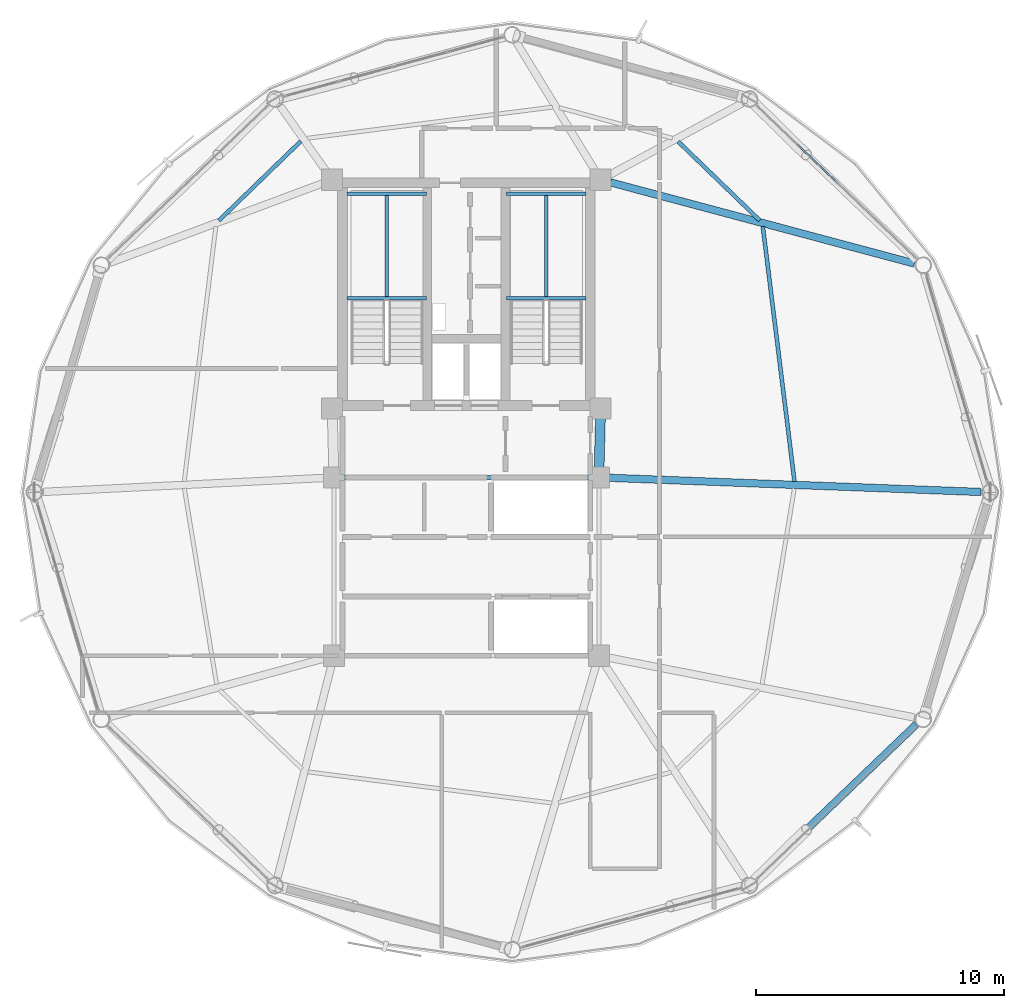
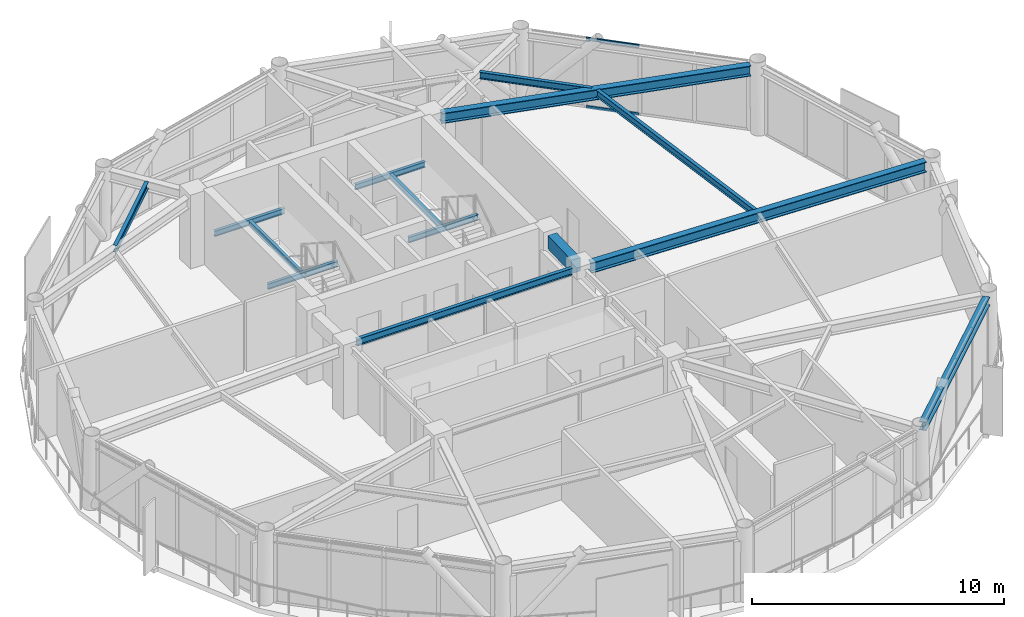
# One storey, part 14 of 28: 14 beams, 2 members, 1 element without a shape of its own.
"""IFC4 building model written with IfcOpenShell, lengths in metres."""

from ifc_helpers import new_model, si_unit, direction, frame, origin, origin_2d, place, context, subcontext, project, spatial, rectangle, hollow_rectangle, i_section, extrude, material, layer, layer_set, material_profile, profile_set, type_object, element, aggregate, save


model = new_model("IFC4")

# Units and contexts
model_context = context("Model", 3, precision=1e-05, world=origin(), true_north=direction((0.0, 1.0)))
body_context = subcontext(model_context, "Body", "Model", "MODEL_VIEW")
ifc_project = project(units=[si_unit("LENGTHUNIT", "METRE"), si_unit("AREAUNIT", "SQUARE_METRE"), si_unit("VOLUMEUNIT", "CUBIC_METRE"), si_unit("PLANEANGLEUNIT", "RADIAN"), si_unit("MASSUNIT", "GRAM", prefix="KILO")], contexts=[model_context])

# Site, building, storey
site_placement = place(None, origin())
site = spatial("IfcSite", under=ifc_project, at=site_placement, CompositionType="ELEMENT")
building_placement = place(site_placement, origin())
building = spatial("IfcBuilding", under=site, at=building_placement, Name="Varnakorn Sky Granary", CompositionType="ELEMENT")
storey_placement = place(building_placement, frame((0.0, 0.0, 204.0)))
storey = spatial("IfcBuildingStorey", under=building, at=storey_placement, Name="L51", CompositionType="ELEMENT", Elevation=204.0)

# Beams
ifc_material_1 = material(Name="Concrete C50/60", Category="concrete")
ifc_material_profile_1 = material_profile(ifc_material_1, rectangle(XDim=0.39990234375, YDim=0.64990234375, at=origin_2d()), Name="RC 400x650")
ifc_profile_set_1 = profile_set([ifc_material_profile_1], Name="Concrete C50/60")
beam_type_1 = type_object("IfcBeamType", Name="BM-LIN-650", PredefinedType="LINTEL", material=ifc_profile_set_1)
beam_1_placement = place(storey_placement, frame((8.409912109375, 2.97509765625, 3.034912109375), z_axis=(-0.025270737467, -0.99968064392, 0.0), x_axis=(0.99968064392, -0.025270737467, 0.0)))
element("IfcBeam", 1, at=beam_1_placement, inside=storey, type_object=beam_type_1, Name="Core Spine Framing Beam 2 L51", PredefinedType="LINTEL", context=body_context, shape_type="SweptSolid", body=[
    extrude(rectangle(XDim=0.39990234375, YDim=0.64990234375, at=origin_2d()), origin(), (0.0, 0.0, 1.0), 1.970947265625),
])
ifc_material_2 = material(Name="Steel S355JR", Category="steel")
ifc_material_profile_2 = material_profile(ifc_material_2, i_section(OverallWidth=0.135009765625, OverallDepth=0.27001953125, WebThickness=0.006591796875, FlangeThickness=0.01025390625, at=origin_2d()), Name="IPE 270")
ifc_profile_set_2 = profile_set([ifc_material_profile_2], Name="Steel S355JR")
beam_type_2 = type_object("IfcBeamType", Name="BM-LND-270", PredefinedType="BEAM", material=ifc_profile_set_2)
for number, where, z_axis, x_axis, name in (
    (2, (-1.820068359375, 7.840087890625, 1.465087890625), (1.0, 0.0, 0.0), (0.0, 1.0, 0.0), "Stair ST-1 Landing Trimmer Beam A L51-1"),
    (3, (-1.820068359375, 12.06005859375, 1.465087890625), (1.0, 0.0, 0.0), (0.0, 1.0, 0.0), "Stair ST-1 Landing Trimmer Beam B L51-1"),
):
    element("IfcBeam", number, at=place(storey_placement, frame(where, z_axis=z_axis, x_axis=x_axis)), inside=storey, type_object=beam_type_2, Name=name, PredefinedType="BEAM", context=body_context, shape_type="SweptSolid", body=[
        extrude(i_section(OverallWidth=0.135009765625, OverallDepth=0.27001953125, WebThickness=0.006591796875, FlangeThickness=0.01025390625, at=origin_2d()), origin(), (0.0, 0.0, 1.0), 3.199951171875),
    ])
beam_2_placement = place(storey_placement, frame((-0.219970703125, 7.840087890625, 1.465087890625), z_axis=(0.0, 1.0, 0.0), x_axis=(-1.0, 0.0, 0.0)))
element("IfcBeam", 4, at=beam_2_placement, inside=storey, type_object=beam_type_2, Name="Stair ST-1 Landing Cross Beam C L51-1", PredefinedType="BEAM", context=body_context, shape_type="SweptSolid", body=[
    extrude(i_section(OverallWidth=0.135009765625, OverallDepth=0.27001953125, WebThickness=0.006591796875, FlangeThickness=0.01025390625, at=origin_2d()), origin(), (0.0, 0.0, 1.0), 4.219970703125),
])
for number, where, z_axis, x_axis, name in (
    (5, (4.6201171875, 7.840087890625, 1.465087890625), (1.0, 0.0, 0.0), (0.0, 1.0, 0.0), "Stair ST-2 Landing Trimmer Beam A L51-1"),
    (6, (4.6201171875, 12.06005859375, 1.465087890625), (1.0, 0.0, 0.0), (0.0, 1.0, 0.0), "Stair ST-2 Landing Trimmer Beam B L51-1"),
):
    element("IfcBeam", number, at=place(storey_placement, frame(where, z_axis=z_axis, x_axis=x_axis)), inside=storey, type_object=beam_type_2, Name=name, PredefinedType="BEAM", context=body_context, shape_type="SweptSolid", body=[
        extrude(i_section(OverallWidth=0.135009765625, OverallDepth=0.27001953125, WebThickness=0.006591796875, FlangeThickness=0.01025390625, at=origin_2d()), origin(), (0.0, 0.0, 1.0), 3.199951171875),
    ])
beam_3_placement = place(storey_placement, frame((6.219970703125, 7.840087890625, 1.465087890625), z_axis=(0.0, 1.0, 0.0), x_axis=(-1.0, 0.0, 0.0)))
element("IfcBeam", 7, at=beam_3_placement, inside=storey, type_object=beam_type_2, Name="Stair ST-2 Landing Cross Beam C L51-1", PredefinedType="BEAM", context=body_context, shape_type="SweptSolid", body=[
    extrude(i_section(OverallWidth=0.135009765625, OverallDepth=0.27001953125, WebThickness=0.006591796875, FlangeThickness=0.01025390625, at=origin_2d()), origin(), (0.0, 0.0, 1.0), 4.219970703125),
])
ifc_material_profile_3 = material_profile(ifc_material_2, i_section(OverallWidth=0.300048828125, OverallDepth=0.5, WebThickness=0.014404296875, FlangeThickness=0.028076171875, at=origin_2d()), Name="HE 500 B")
ifc_profile_set_3 = profile_set([ifc_material_profile_3], Name="Steel S355JR")
beam_type_3 = type_object("IfcBeamType", Name="BM-RAD-Z4", PredefinedType="BEAM", material=ifc_profile_set_3)
beam_4_placement = place(storey_placement, frame((8.754638671875, 0.584716796875, 3.110107421875), z_axis=(0.999273787688, -0.038103769357, 0.0), x_axis=(0.038103769357, 0.999273787688, 0.0)))
element("IfcBeam", 8, at=beam_4_placement, inside=storey, type_object=beam_type_3, Name="Radial Floor Girder RG01 L51", PredefinedType="BEAM", context=body_context, shape_type="SweptSolid", body=[
    extrude(i_section(OverallWidth=0.300048828125, OverallDepth=0.5, WebThickness=0.014404296875, FlangeThickness=0.028076171875, at=origin_2d()), origin(), (0.0, 0.0, 1.0), 15.031494140625),
])
beam_5_placement = place(storey_placement, frame((8.811279296875, 12.515380859375, 3.110107421875), z_axis=(0.966147848567, -0.25798902052, 0.0), x_axis=(0.25798902052, 0.966147848567, 0.0)))
element("IfcBeam", 9, at=beam_5_placement, inside=storey, type_object=beam_type_3, Name="Radial Floor Girder RG02 L51", PredefinedType="BEAM", context=body_context, shape_type="SweptSolid", body=[
    extrude(i_section(OverallWidth=0.300048828125, OverallDepth=0.5, WebThickness=0.014404296875, FlangeThickness=0.028076171875, at=origin_2d()), origin(), (0.0, 0.0, 1.0), 12.7099609375),
])
ifc_material_profile_4 = material_profile(ifc_material_2, i_section(OverallWidth=0.159912109375, OverallDepth=0.330078125, WebThickness=0.007568359375, FlangeThickness=0.011474609375, at=origin_2d()), Name="IPE 330")
ifc_profile_set_4 = profile_set([ifc_material_profile_4], Name="Steel S355JR")
beam_type_4 = type_object("IfcBeamType", Name="BM-SEC-Z4", PredefinedType="BEAM", material=ifc_profile_set_4)
beam_6_placement = place(storey_placement, frame((16.247802734375, 0.437255859375, 3.195068359375), z_axis=(-0.123258810326, 0.992374559165, 0.0), x_axis=(-0.992374559165, -0.123258810326, 0.0)))
element("IfcBeam", 10, at=beam_6_placement, inside=storey, type_object=beam_type_4, Name="Secondary Floor Chord Beam MSB01 L51", PredefinedType="BEAM", context=body_context, shape_type="SweptSolid", body=[
    extrude(i_section(OverallWidth=0.159912109375, OverallDepth=0.330078125, WebThickness=0.007568359375, FlangeThickness=0.011474609375, at=origin_2d()), origin(), (0.0, 0.0, 1.0), 10.37890625),
])
beam_7_placement = place(storey_placement, frame((14.8505859375, 10.97314453125, 3.195068359375), z_axis=(-0.718950267091, 0.695061517744, 0.0), x_axis=(-0.695061517744, -0.718950267091, 0.0)))
element("IfcBeam", 11, at=beam_7_placement, inside=storey, type_object=beam_type_4, Name="Secondary Floor Chord Beam MSB02 L51", PredefinedType="BEAM", context=body_context, shape_type="SweptSolid", body=[
    extrude(i_section(OverallWidth=0.159912109375, OverallDepth=0.330078125, WebThickness=0.007568359375, FlangeThickness=0.011474609375, at=origin_2d()), origin(), (0.0, 0.0, 1.0), 4.588623046875),
])
beam_8_placement = place(storey_placement, frame((-3.687744140625, 14.177734375, 3.195068359375), z_axis=(-0.718190606948, -0.695846428525, 0.0), x_axis=(0.695846428525, -0.718190606948, 0.0)))
element("IfcBeam", 12, at=beam_8_placement, inside=storey, type_object=beam_type_4, Name="Secondary Floor Chord Beam MSB05 L51", PredefinedType="BEAM", context=body_context, shape_type="SweptSolid", body=[
    extrude(i_section(OverallWidth=0.159912109375, OverallDepth=0.330078125, WebThickness=0.007568359375, FlangeThickness=0.011474609375, at=origin_2d()), origin(), (0.0, 0.0, 1.0), 4.61083984375),
])
beam_9_placement = place(storey_placement, frame((-1.945068359375, 0.60009765625, 3.195068359375), z_axis=(1.0, 0.0, 0.0), x_axis=(0.0, 1.0, 0.0)))
element("IfcBeam", 13, at=beam_9_placement, inside=storey, type_object=beam_type_4, Name="Core Spine Framing Beam 5 L51", PredefinedType="BEAM", context=body_context, shape_type="SweptSolid", body=[
    extrude(i_section(OverallWidth=0.159912109375, OverallDepth=0.330078125, WebThickness=0.007568359375, FlangeThickness=0.011474609375, at=origin_2d()), origin(), (0.0, 0.0, 1.0), 9.89013671875),
])
ifc_material_profile_5 = material_profile(ifc_material_2, i_section(OverallWidth=0.300048828125, OverallDepth=0.39990234375, WebThickness=0.013427734375, FlangeThickness=0.02392578125, at=origin_2d()), Name="HE 400 B")
ifc_profile_set_5 = profile_set([ifc_material_profile_5], Name="Steel S355JR")
beam_type_5 = type_object("IfcBeamType", Name="BM-SPD-Z4", PredefinedType="SPANDREL", material=ifc_profile_set_5)
beam_10_placement = place(storey_placement, frame((14.6298828125, -15.638916015625, 3.159912109375), z_axis=(0.721976982037, 0.691917074084, 0.0), x_axis=(-0.691917074084, 0.721976982037, 0.0)))
element("IfcBeam", 14, at=beam_10_placement, inside=storey, type_object=beam_type_5, Name="Perimeter Spandrel Ring Beam RB11 L51", PredefinedType="SPANDREL", context=body_context, shape_type="SweptSolid", body=[
    extrude(i_section(OverallWidth=0.300048828125, OverallDepth=0.39990234375, WebThickness=0.013427734375, FlangeThickness=0.02392578125, at=origin_2d()), origin(), (0.0, 0.0, 1.0), 9.055908203125),
])

# Curtain wall, members
ifc_material_3 = material(Name="Anodised Bronze Aluminium Alloy 6063-T6", Category="aluminium")
ifc_layer = layer(ifc_material_3, 0.169921875, Name="Anodised Bronze Aluminium Alloy 6063-T6")
ifc_layer_set = layer_set([ifc_layer], Name="Anodised Bronze Aluminium Alloy 6063-T6")
curtain_wall_type = type_object("IfcCurtainWallType", Name="CW-LAB-1", PredefinedType="USERDEFINED", material=ifc_layer_set)
curtain_wall_placement = place(storey_placement, origin())
curtain_wall = element("IfcCurtainWall", 15, at=curtain_wall_placement, inside=storey, type_object=curtain_wall_type, Name="Unitised Curtain Wall CW5 CW-L51-B02", ObjectType="CURTAIN WALL", PredefinedType="USERDEFINED")
ifc_material_profile_6 = material_profile(ifc_material_3, hollow_rectangle(XDim=0.070068359375, YDim=0.139892578125, WallThickness=0.00341796875, at=origin_2d()), Name="ALU TRAN 70x140")
ifc_profile_set_6 = profile_set([ifc_material_profile_6], Name="Anodised Bronze Aluminium Alloy 6063-T6")
member_type = type_object("IfcMemberType", Name="CW-LAB-1-TRAN", PredefinedType="USERDEFINED", material=ifc_profile_set_6)
member_1_placement = place(storey_placement, frame((16.355224609375, 14.050537109375, 0.034912109375), z_axis=(0.722585607888, -0.691281447222, 0.0), x_axis=(0.691281447222, 0.722585607888, 0.0)))
member_1 = element("IfcMember", 16, at=member_1_placement, type_object=member_type, Name="CW5 transom 2.1", ObjectType="TRANSOM", PredefinedType="USERDEFINED", context=body_context, shape_type="SweptSolid", body=[
    extrude(hollow_rectangle(XDim=0.070068359375, YDim=0.139892578125, WallThickness=0.00341796875, at=origin_2d()), origin(), (0.0, 0.0, 1.0), 2.168212890625),
])
member_2_placement = place(storey_placement, frame((16.355224609375, 14.050537109375, 3.324951171875), z_axis=(0.722585607888, -0.691281447222, 0.0), x_axis=(0.691281447222, 0.722585607888, 0.0)))
member_2 = element("IfcMember", 17, at=member_2_placement, type_object=member_type, Name="CW5 transom 2.2", ObjectType="TRANSOM", PredefinedType="USERDEFINED", context=body_context, shape_type="SweptSolid", body=[
    extrude(hollow_rectangle(XDim=0.070068359375, YDim=0.139892578125, WallThickness=0.00341796875, at=origin_2d()), origin(), (0.0, 0.0, 1.0), 2.168212890625),
])
aggregate(curtain_wall, [member_1, member_2])

save(model, "model.ifc")
